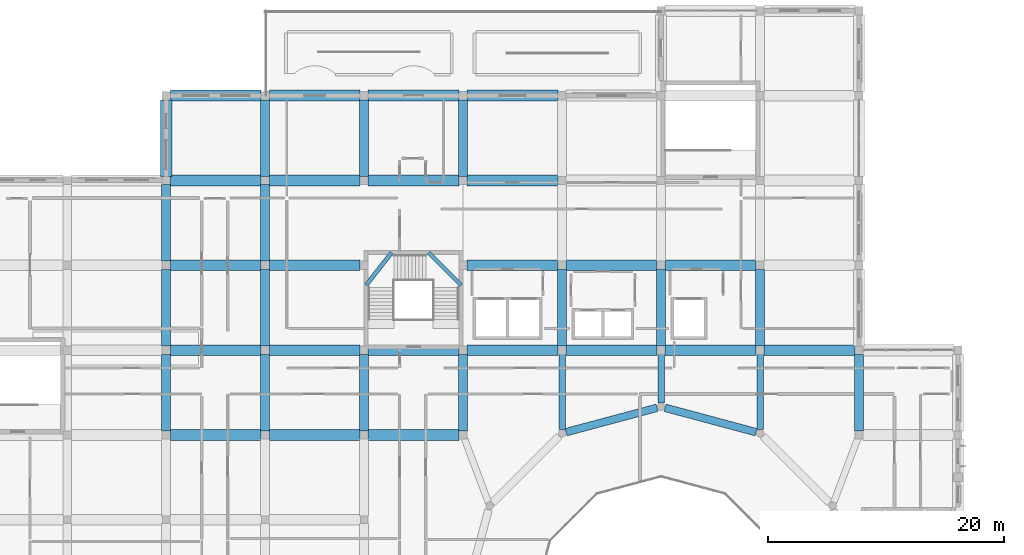
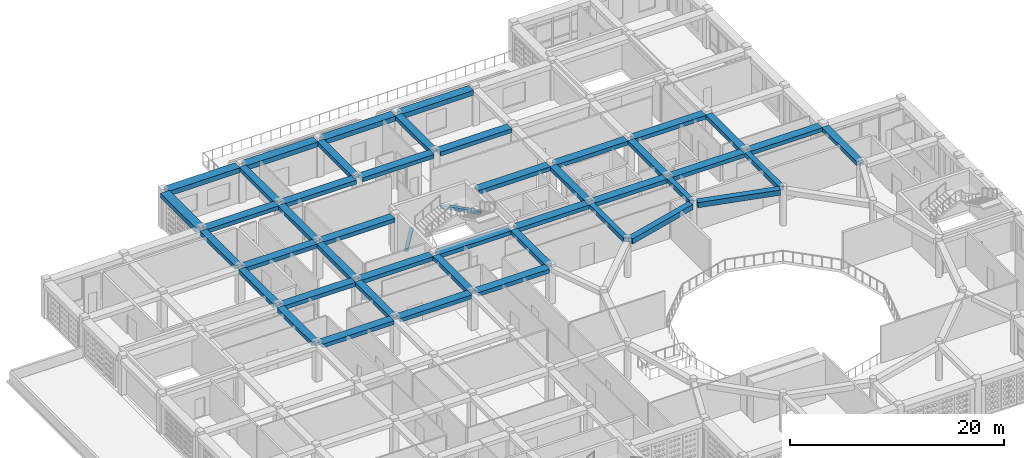
# One storey, part 24 of 79: 46 beams.
"""IFC4 building model written with IfcOpenShell, lengths in metres."""

import ifcopenshell
import ifcopenshell.guid

model = None  # the IFC model being written
_history = None  # IfcOwnerHistory: only IFC2X3 demands one
_inside = {}  # id of a spatial element -> (the spatial element, [elements in it])
_under = {}  # id of a project, library or spatial element -> (it, [spatial elements below it])
_declared = {}  # id of a project -> (the project, [libraries it declares])
_typed = {}  # id of a type object -> (the type object, [elements of that type])
_made_of = {}  # id of a material, layer set ... -> (it, [elements and type objects made of it])


def new_model(schema):
    """Start an empty IFC model of exactly this schema.

    Asked for "IFC4X3", IfcOpenShell would pick the latest addendum, in which some entities
    have other attributes; the version numbers below select the first issue.
    IFC2X3 requires an IfcOwnerHistory on every rooted entity: one is made here for all.
    """
    global model, _history
    if schema == "IFC4X3":
        model = ifcopenshell.file(schema_version=(4, 3, 0, 0))
    else:
        model = ifcopenshell.file(schema=schema)
    _inside.clear()
    _under.clear()
    _declared.clear()
    _typed.clear()
    _made_of.clear()
    _history = None
    if model.schema == "IFC2X3":
        org = make("IfcOrganization", Name="unknown")
        user = make(
            "IfcPersonAndOrganization",
            ThePerson=make("IfcPerson", FamilyName="unknown"),
            TheOrganization=org,
        )
        app = make(
            "IfcApplication",
            ApplicationDeveloper=org,
            Version="unknown",
            ApplicationFullName="unknown",
            ApplicationIdentifier="unknown",
        )
        _history = make(
            "IfcOwnerHistory",
            OwningUser=user,
            OwningApplication=app,
            ChangeAction="ADDED",
            CreationDate=0,
        )
    return model


def make(cls, **values):
    """One entity of the class cls with the attributes given. An attribute that is None is left unset."""
    return model.create_entity(
        cls, **{name: value for name, value in values.items() if value is not None}
    )


def rooted(cls, **values):
    """An entity with a GlobalId (a new one), such as an element, a storey or a relation."""
    return make(cls, GlobalId=ifcopenshell.guid.new(), OwnerHistory=_history, **values)


def si_unit(unit_type, name, prefix=None):
    """IfcSIUnit, for example si_unit("LENGTHUNIT", "METRE", prefix="MILLI")."""
    return make("IfcSIUnit", UnitType=unit_type, Prefix=prefix, Name=name)


def derived_unit(unit_type, elements):
    """IfcDerivedUnit: a product of units, each with its exponent."""
    return make(
        "IfcDerivedUnit",
        Elements=[
            make("IfcDerivedUnitElement", Unit=unit, Exponent=power)
            for unit, power in elements
        ],
        UnitType=unit_type,
    )


def assignment(units):
    """IfcUnitAssignment: the units of a project."""
    return None if units is None else make("IfcUnitAssignment", Units=units)


def point(xyz):
    """IfcCartesianPoint."""
    return None if xyz is None else make("IfcCartesianPoint", Coordinates=xyz)


def direction(xyz):
    """IfcDirection."""
    return None if xyz is None else make("IfcDirection", DirectionRatios=xyz)


def frame(location, z_axis=None, x_axis=None):
    """IfcAxis2Placement3D, a coordinate frame: its origin and axes. An axis left out is left unset."""
    return make(
        "IfcAxis2Placement3D",
        Location=point(location),
        Axis=direction(z_axis),
        RefDirection=direction(x_axis),
    )


def frame_2d(location, x_axis=None):
    """IfcAxis2Placement2D, a coordinate frame in the plane: its origin and x axis."""
    return make(
        "IfcAxis2Placement2D", Location=point(location), RefDirection=direction(x_axis)
    )


def origin():
    """The frame at (0, 0, 0) with its axes left unset."""
    return frame((0.0, 0.0, 0.0))


def origin_2d():
    """The frame at (0, 0) in the plane with its x axis left unset."""
    return frame_2d((0.0, 0.0))


def place(relative_to, where):
    """IfcLocalPlacement: puts the frame where relative to a parent placement (None: the world)."""
    return make(
        "IfcLocalPlacement", PlacementRelTo=relative_to, RelativePlacement=where
    )


def context(
    kind, dimensions, precision=None, world=None, true_north=None, identifier=None
):
    """IfcGeometricRepresentationContext, for example the 3D "Model" context."""
    return make(
        "IfcGeometricRepresentationContext",
        ContextIdentifier=identifier,
        ContextType=kind,
        CoordinateSpaceDimension=dimensions,
        Precision=precision,
        WorldCoordinateSystem=world,
        TrueNorth=true_north,
    )


def subcontext(parent, identifier, kind, view, scale=None):
    """IfcGeometricRepresentationSubContext, for example "Body" below "Model"."""
    return make(
        "IfcGeometricRepresentationSubContext",
        ContextIdentifier=identifier,
        ContextType=kind,
        ParentContext=parent,
        TargetScale=scale,
        TargetView=view,
    )


def project(units=None, contexts=None):
    """IfcProject with its units and contexts."""
    return rooted(
        "IfcProject",
        Name="project",
        RepresentationContexts=contexts,
        UnitsInContext=assignment(units),
    )


def spatial(cls, under=None, at=None, **own):
    """A site, building, storey or space (cls), placed at a placement, below another one or the project."""
    s = rooted(cls, ObjectPlacement=at, **own)
    if under is not None:
        _under.setdefault(under.id(), (under, []))[1].append(s)
    return s


def profile(cls, at=None, kind="AREA", **sizes):
    """A parametric profile (cls). Its sizes go by their IFC names, for example OverallWidth=200.0."""
    return make(cls, ProfileType=kind, Position=at, **sizes)


def rectangle(**sizes):
    """IfcRectangleProfileDef."""
    return profile("IfcRectangleProfileDef", **sizes)


def extrude(swept, where, along, depth):
    """IfcExtrudedAreaSolid: the profile swept, set in the frame where, extruded along a direction by depth."""
    return make(
        "IfcExtrudedAreaSolid",
        SweptArea=swept,
        Position=where,
        ExtrudedDirection=direction(along),
        Depth=depth,
    )


def shape(context_of_items, identifier, shape_type, items):
    """IfcShapeRepresentation: the items that make up one representation, for example the "Body"."""
    return make(
        "IfcShapeRepresentation",
        ContextOfItems=context_of_items,
        RepresentationIdentifier=identifier,
        RepresentationType=shape_type,
        Items=items,
    )


def material(Name=None, Category=None):
    """IfcMaterial."""
    return make("IfcMaterial", Name=Name, Category=Category)


def material_profile(
    of_material, cross_section, Name=None, Category=None, Priority=None
):
    """IfcMaterialProfile: a cross section and its material."""
    return make(
        "IfcMaterialProfile",
        Name=Name,
        Material=of_material,
        Profile=cross_section,
        Priority=Priority,
        Category=Category,
    )


def profile_set(profiles, Name=None, composite=None):
    """IfcMaterialProfileSet."""
    return make(
        "IfcMaterialProfileSet",
        Name=Name,
        MaterialProfiles=profiles,
        CompositeProfile=composite,
    )


def made_of(thing, what):
    """Note that an element or type object is made of a material, layer set ...; save() writes the relation."""
    if what is not None:
        _made_of.setdefault(what.id(), (what, []))[1].append(thing)
    return thing


def type_object(cls, material=None, **own):
    """A type object (cls), such as IfcWallType, which elements share."""
    return made_of(rooted(cls, **own), material)


def element(
    cls,
    number,
    at=None,
    inside=None,
    cuts=None,
    type_object=None,
    material=None,
    context=None,
    identifier="Body",
    shape_type=None,
    held_by="IfcProductDefinitionShape",
    body=None,
    shapes=None,
    **own,
):
    """One element of the class cls, such as IfcWall. Its Tag is "e" and its number.

    at: its placement. inside: the storey or other place that contains it. cuts: it is an
    opening in that element (IfcRelVoidsElement). A single representation is given by context,
    identifier, shape_type and body (its items); several are given by shapes. held_by: the class
    of the entity that holds the representations. save() writes the other relations.
    """
    e = rooted(cls, Tag="e%d" % number, ObjectPlacement=at, **own)
    if body is not None:
        shapes = [shape(context, identifier, shape_type, body)]
    if shapes is not None:
        e.Representation = make(held_by, Representations=shapes)
    if inside is not None:
        _inside.setdefault(inside.id(), (inside, []))[1].append(e)
    if cuts is not None:
        rooted(
            "IfcRelVoidsElement", RelatingBuildingElement=cuts, RelatedOpeningElement=e
        )
    if type_object is not None:
        _typed.setdefault(type_object.id(), (type_object, []))[1].append(e)
    return made_of(e, material)


def aggregate(whole, parts):
    """IfcRelAggregates: a whole, such as a stair, and the parts it consists of."""
    return rooted("IfcRelAggregates", RelatingObject=whole, RelatedObjects=parts)


def save(model, path):
    """Write the relations noted so far, then the file.

    IfcRelAggregates (storeys below a building ...), IfcRelContainedInSpatialStructure (elements
    in a storey), IfcRelDefinesByType, IfcRelAssociatesMaterial and IfcRelDeclares: one each for
    every whole, place, type object, material and project.
    """
    for whole, parts in _under.values():
        aggregate(whole, parts)
    for where, things in _inside.values():
        rooted(
            "IfcRelContainedInSpatialStructure",
            RelatedElements=things,
            RelatingStructure=where,
        )
    for kind, things in _typed.values():
        rooted("IfcRelDefinesByType", RelatedObjects=things, RelatingType=kind)
    for what, things in _made_of.values():
        rooted("IfcRelAssociatesMaterial", RelatedObjects=things, RelatingMaterial=what)
    for by, libraries in _declared.values():
        rooted("IfcRelDeclares", RelatingContext=by, RelatedDefinitions=libraries)
    model.write(path)


model = new_model("IFC4")

# Units and contexts
model_context = context("Model", 3, precision=1e-05, world=origin(), true_north=direction((0.0, 1.0)))
body_context = subcontext(model_context, "Body", "Model", "MODEL_VIEW")
ifc_project = project(units=[si_unit("LENGTHUNIT", "METRE"), si_unit("AREAUNIT", "SQUARE_METRE"), si_unit("VOLUMEUNIT", "CUBIC_METRE"), si_unit("PLANEANGLEUNIT", "RADIAN"), si_unit("MASSUNIT", "GRAM", prefix="KILO"), derived_unit("THERMALTRANSMITTANCEUNIT", [(si_unit("POWERUNIT", "WATT"), 1), (si_unit("LENGTHUNIT", "METRE"), -2), (si_unit("THERMODYNAMICTEMPERATUREUNIT", "KELVIN"), -1)])], contexts=[model_context])

# Site, building, storey
site_placement = place(None, origin())
site = spatial("IfcSite", under=ifc_project, at=site_placement, CompositionType="ELEMENT")
building_placement = place(site_placement, origin())
building = spatial("IfcBuilding", under=site, at=building_placement, Name="Veybourne Emporium", CompositionType="ELEMENT")
storey_placement = place(building_placement, frame((0.0, 0.0, 18.89990234375)))
storey = spatial("IfcBuildingStorey", under=building, at=storey_placement, Name="L04", CompositionType="ELEMENT", Elevation=18.89990234375)

# Beams
ifc_material = material(Name="Concrete C32/40", Category="concrete")
ifc_material_profile_1 = material_profile(ifc_material, rectangle(XDim=0.35009765625, YDim=0.35009765625, at=origin_2d()), Name="RC 350x350")
ifc_profile_set_1 = profile_set([ifc_material_profile_1], Name="Concrete C32/40")
beam_type_1 = type_object("IfcBeamType", Name="LandingBeam_LB-01", PredefinedType="BEAM", material=ifc_profile_set_1)
beam_1_placement = place(storey_placement, frame((50.574951171875, 77.52001953125, 1.125), z_axis=(0.616136975881, 0.787639020714, 0.0), x_axis=(-0.787639020714, 0.616136975881, 0.0)))
element("IfcBeam", 1, at=beam_1_placement, inside=storey, type_object=beam_type_1, Name="L04 ST-03 landing 1 support beam", PredefinedType="BEAM", context=body_context, shape_type="SweptSolid", body=[
    extrude(rectangle(XDim=0.35009765625, YDim=0.35009765625, at=origin_2d()), origin(), (0.0, 0.0, 1.0), 3.49755859375),
])
beam_2_placement = place(storey_placement, frame((55.8701171875, 80.27490234375, 2.625), z_axis=(0.707106781187, -0.707106781187, 0.0), x_axis=(0.707106781187, 0.707106781187, 0.0)))
element("IfcBeam", 2, at=beam_2_placement, inside=storey, type_object=beam_type_1, Name="L04 ST-03 landing 2 support beam", PredefinedType="BEAM", context=body_context, shape_type="SweptSolid", body=[
    extrude(rectangle(XDim=0.35009765625, YDim=0.35009765625, at=origin_2d()), origin(), (0.0, 0.0, 1.0), 3.89599609375),
])
ifc_material_profile_2 = material_profile(ifc_material, rectangle(XDim=0.89990234375, YDim=0.449951171875, at=origin_2d()), Name="RC 900x450")
ifc_profile_set_2 = profile_set([ifc_material_profile_2], Name="Concrete C32/40")
beam_type_2 = type_object("IfcBeamType", Name="RCBeam_BB-03", PredefinedType="BEAM", material=ifc_profile_set_2)
for number, where, z_axis, x_axis, name in (
    (3, (33.949951171875, 64.800048828125, 3.955078125), (1.0, 0.0, 0.0), (0.0, 1.0, 0.0), "L04 X-grid beam BB-03 (4,9)"),
    (4, (33.949951171875, 72.0, 3.955078125), (1.0, 0.0, 0.0), (0.0, 1.0, 0.0), "L04 X-grid beam BB-03 (4,10)"),
    (5, (33.949951171875, 79.199951171875, 3.955078125), (1.0, 0.0, 0.0), (0.0, 1.0, 0.0), "L04 X-grid beam BB-03 (4,11)"),
    (6, (33.949951171875, 86.39990234375, 3.955078125), (1.0, 0.0, 0.0), (0.0, 1.0, 0.0), "L04 X-grid beam BB-03 (4,12)"),
    (7, (42.35009765625, 64.800048828125, 3.955078125), (1.0, 0.0, 0.0), (0.0, 1.0, 0.0), "L04 X-grid beam BB-03 (5,9)"),
    (8, (42.35009765625, 72.0, 3.955078125), (1.0, 0.0, 0.0), (0.0, 1.0, 0.0), "L04 X-grid beam BB-03 (5,10)"),
    (9, (42.35009765625, 79.199951171875, 3.955078125), (1.0, 0.0, 0.0), (0.0, 1.0, 0.0), "L04 X-grid beam BB-03 (5,11)"),
    (10, (42.35009765625, 86.39990234375, 3.955078125), (1.0, 0.0, 0.0), (0.0, 1.0, 0.0), "L04 X-grid beam BB-03 (5,12)"),
    (11, (50.75, 64.800048828125, 3.955078125), (1.0, 0.0, 0.0), (0.0, 1.0, 0.0), "L04 X-grid beam BB-03 (6,9)"),
    (12, (50.75, 72.0, 3.955078125), (1.0, 0.0, 0.0), (0.0, 1.0, 0.0), "L04 X-grid beam BB-03 (6,10)"),
    (13, (50.75, 86.39990234375, 3.955078125), (1.0, 0.0, 0.0), (0.0, 1.0, 0.0), "L04 X-grid beam BB-03 (6,12)"),
):
    element("IfcBeam", number, at=place(storey_placement, frame(where, z_axis=z_axis, x_axis=x_axis)), inside=storey, type_object=beam_type_2, Name=name, PredefinedType="BEAM", context=body_context, shape_type="SweptSolid", body=[
        extrude(rectangle(XDim=0.89990234375, YDim=0.449951171875, at=origin_2d()), origin(), (0.0, 0.0, 1.0), 7.699951171875),
    ])
for number, where, z_axis, x_axis, name in (
    (14, (59.14990234375, 72.0, 3.955078125), (1.0, 0.0, 0.0), (0.0, 1.0, 0.0), "L04 X-grid beam BB-03 (7,10)"),
    (15, (59.14990234375, 79.199951171875, 3.955078125), (1.0, 0.0, 0.0), (0.0, 1.0, 0.0), "L04 X-grid beam BB-03 (7,11)"),
    (16, (59.14990234375, 86.39990234375, 3.955078125), (1.0, 0.0, 0.0), (0.0, 1.0, 0.0), "L04 X-grid beam BB-03 (7,12)"),
):
    element("IfcBeam", number, at=place(storey_placement, frame(where, z_axis=z_axis, x_axis=x_axis)), inside=storey, type_object=beam_type_2, Name=name, PredefinedType="BEAM", context=body_context, shape_type="SweptSolid", body=[
        extrude(rectangle(XDim=0.89990234375, YDim=0.449951171875, at=origin_2d()), origin(), (0.0, 0.0, 1.0), 7.7001953125),
    ])
for number, where, z_axis, x_axis, name in (
    (17, (67.550048828125, 72.0, 3.955078125), (1.0, 0.0, 0.0), (0.0, 1.0, 0.0), "L04 X-grid beam BB-03 (8,10)"),
    (18, (67.550048828125, 79.199951171875, 3.955078125), (1.0, 0.0, 0.0), (0.0, 1.0, 0.0), "L04 X-grid beam BB-03 (8,11)"),
    (19, (75.949951171875, 72.0, 3.955078125), (1.0, 0.0, 0.0), (0.0, 1.0, 0.0), "L04 X-grid beam BB-03 (9,10)"),
    (20, (75.949951171875, 79.199951171875, 3.955078125), (1.0, 0.0, 0.0), (0.0, 1.0, 0.0), "L04 X-grid beam BB-03 (9,11)"),
    (21, (84.35009765625, 72.0, 3.955078125), (1.0, 0.0, 0.0), (0.0, 1.0, 0.0), "L04 X-grid beam BB-03 (10,10)"),
):
    element("IfcBeam", number, at=place(storey_placement, frame(where, z_axis=z_axis, x_axis=x_axis)), inside=storey, type_object=beam_type_2, Name=name, PredefinedType="BEAM", context=body_context, shape_type="SweptSolid", body=[
        extrude(rectangle(XDim=0.89990234375, YDim=0.449951171875, at=origin_2d()), origin(), (0.0, 0.0, 1.0), 7.699951171875),
    ])
ifc_material_profile_3 = material_profile(ifc_material, rectangle(XDim=0.75, YDim=0.449951171875, at=origin_2d()), Name="RC 750x450")
ifc_profile_set_3 = profile_set([ifc_material_profile_3], Name="Concrete C32/40")
beam_type_3 = type_object("IfcBeamType", Name="RCBeam_BB-04", PredefinedType="BEAM", material=ifc_profile_set_3)
for number, where, z_axis, x_axis, name in (
    (22, (33.60009765625, 65.14990234375, 3.955078125), (0.0, 1.0, 0.0), (-1.0, 0.0, 0.0), "L04 Y-grid beam BB-04 (4,9)"),
    (23, (33.60009765625, 72.35009765625, 3.955078125), (0.0, 1.0, 0.0), (-1.0, 0.0, 0.0), "L04 Y-grid beam BB-04 (4,10)"),
    (24, (33.60009765625, 79.550048828125, 3.955078125), (0.0, 1.0, 0.0), (-1.0, 0.0, 0.0), "L04 Y-grid beam BB-04 (4,11)"),
    (25, (42.0, 65.14990234375, 3.955078125), (0.0, 1.0, 0.0), (-1.0, 0.0, 0.0), "L04 Y-grid beam BB-04 (5,9)"),
    (26, (42.0, 72.35009765625, 3.955078125), (0.0, 1.0, 0.0), (-1.0, 0.0, 0.0), "L04 Y-grid beam BB-04 (5,10)"),
    (27, (42.0, 79.550048828125, 3.955078125), (0.0, 1.0, 0.0), (-1.0, 0.0, 0.0), "L04 Y-grid beam BB-04 (5,11)"),
    (28, (42.0, 86.75, 3.955078125), (0.0, 1.0, 0.0), (-1.0, 0.0, 0.0), "L04 Y-grid beam BB-04 (5,12)"),
    (29, (50.39990234375, 65.14990234375, 3.955078125), (0.0, 1.0, 0.0), (-1.0, 0.0, 0.0), "L04 Y-grid beam BB-04 (6,9)"),
    (30, (50.39990234375, 86.75, 3.955078125), (0.0, 1.0, 0.0), (-1.0, 0.0, 0.0), "L04 Y-grid beam BB-04 (6,12)"),
    (31, (58.800048828125, 65.14990234375, 3.955078125), (0.0, 1.0, 0.0), (-1.0, 0.0, 0.0), "L04 Y-grid beam BB-04 (7,9)"),
    (32, (58.800048828125, 86.75, 3.955078125), (0.0, 1.0, 0.0), (-1.0, 0.0, 0.0), "L04 Y-grid beam BB-04 (7,12)"),
    (33, (67.199951171875, 72.35009765625, 3.955078125), (0.0, 1.0, 0.0), (-1.0, 0.0, 0.0), "L04 Y-grid beam BB-04 (8,10)"),
    (34, (75.60009765625, 72.35009765625, 3.955078125), (0.0, 1.0, 0.0), (-1.0, 0.0, 0.0), "L04 Y-grid beam BB-04 (9,10)"),
    (35, (84.0, 72.35009765625, 3.955078125), (0.0, 1.0, 0.0), (-1.0, 0.0, 0.0), "L04 Y-grid beam BB-04 (10,10)"),
    (36, (92.39990234375, 65.14990234375, 3.955078125), (0.0, 1.0, 0.0), (-1.0, 0.0, 0.0), "L04 Y-grid beam BB-04 (11,9)"),
):
    element("IfcBeam", number, at=place(storey_placement, frame(where, z_axis=z_axis, x_axis=x_axis)), inside=storey, type_object=beam_type_3, Name=name, PredefinedType="BEAM", context=body_context, shape_type="SweptSolid", body=[
        extrude(rectangle(XDim=0.75, YDim=0.449951171875, at=origin_2d()), origin(), (0.0, 0.0, 1.0), 6.5),
    ])
ifc_material_profile_4 = material_profile(ifc_material, rectangle(XDim=0.949951171875, YDim=0.550048828125, at=origin_2d()), Name="RC 950x550")
ifc_profile_set_4 = profile_set([ifc_material_profile_4], Name="Concrete C32/40")
beam_type_4 = type_object("IfcBeamType", Name="RCBeam_EB-01", PredefinedType="SPANDREL", material=ifc_profile_set_4)
for number, where, z_axis, x_axis, name in (
    (37, (33.949951171875, 93.60009765625, 3.905029296875), (1.0, 0.0, 0.0), (0.0, 1.0, 0.0), "L04 X-grid beam EB-01 (4,13)"),
    (38, (42.35009765625, 93.60009765625, 3.905029296875), (1.0, 0.0, 0.0), (0.0, 1.0, 0.0), "L04 X-grid beam EB-01 (5,13)"),
    (39, (50.75, 93.60009765625, 3.905029296875), (1.0, 0.0, 0.0), (0.0, 1.0, 0.0), "L04 X-grid beam EB-01 (6,13)"),
):
    element("IfcBeam", number, at=place(storey_placement, frame(where, z_axis=z_axis, x_axis=x_axis)), inside=storey, type_object=beam_type_4, Name=name, PredefinedType="SPANDREL", context=body_context, shape_type="SweptSolid", body=[
        extrude(rectangle(XDim=0.949951171875, YDim=0.550048828125, at=origin_2d()), origin(), (0.0, 0.0, 1.0), 7.699951171875),
    ])
beam_3_placement = place(storey_placement, frame((59.14990234375, 93.60009765625, 3.905029296875), z_axis=(1.0, 0.0, 0.0), x_axis=(0.0, 1.0, 0.0)))
element("IfcBeam", 40, at=beam_3_placement, inside=storey, type_object=beam_type_4, Name="L04 X-grid beam EB-01 (7,13)", PredefinedType="SPANDREL", context=body_context, shape_type="SweptSolid", body=[
    extrude(rectangle(XDim=0.949951171875, YDim=0.550048828125, at=origin_2d()), origin(), (0.0, 0.0, 1.0), 7.7001953125),
])
beam_4_placement = place(storey_placement, frame((33.60009765625, 86.75, 3.905029296875), z_axis=(0.0, 1.0, 0.0), x_axis=(-1.0, 0.0, 0.0)))
element("IfcBeam", 41, at=beam_4_placement, inside=storey, type_object=beam_type_4, Name="L04 Y-grid beam EB-01 (4,12)", PredefinedType="SPANDREL", context=body_context, shape_type="SweptSolid", body=[
    extrude(rectangle(XDim=0.949951171875, YDim=0.550048828125, at=origin_2d()), origin(), (0.0, 0.0, 1.0), 6.5),
])
ifc_material_profile_5 = material_profile(ifc_material, rectangle(XDim=0.64990234375, YDim=0.60009765625, at=origin_2d()), Name="RC 650x600")
ifc_profile_set_5 = profile_set([ifc_material_profile_5], Name="Concrete C32/40")
beam_type_5 = type_object("IfcBeamType", Name="RCBeam_EB-02", PredefinedType="BEAM", material=ifc_profile_set_5)
for number, where, z_axis, x_axis, name in (
    (42, (83.656982421875, 65.041015625, 3.880126953125), (-0.965921169043, 0.258836425556, 0.0), (-0.258836425556, -0.965921169043, 0.0), "Atrium ring beam EB-02 L04-03"),
    (43, (75.257080078125, 67.108154296875, 3.880126953125), (-0.965921169043, -0.258836425556, 0.0), (0.258836425556, -0.965921169043, 0.0), "Atrium ring beam EB-02 L04-04"),
):
    element("IfcBeam", number, at=place(storey_placement, frame(where, z_axis=z_axis, x_axis=x_axis)), inside=storey, type_object=beam_type_5, Name=name, PredefinedType="BEAM", context=body_context, shape_type="SweptSolid", body=[
        extrude(rectangle(XDim=0.64990234375, YDim=0.60009765625, at=origin_2d()), origin(), (0.0, 0.0, 1.0), 7.986328125),
    ])
ifc_material_profile_6 = material_profile(ifc_material, rectangle(XDim=0.550048828125, YDim=0.5, at=origin_2d()), Name="RC 550x500")
ifc_profile_set_6 = profile_set([ifc_material_profile_6], Name="Concrete C32/40")
beam_type_6 = type_object("IfcBeamType", Name="RCBeam_TB-01", PredefinedType="BEAM", material=ifc_profile_set_6)
beam_5_placement = place(storey_placement, frame((84.0, 65.26416015625, 3.93017578125), z_axis=(0.0, 1.0, 0.0), x_axis=(-1.0, 0.0, 0.0)))
element("IfcBeam", 44, at=beam_5_placement, inside=storey, type_object=beam_type_6, Name="Atrium radial tie beam L04-03", PredefinedType="BEAM", context=body_context, shape_type="SweptSolid", body=[
    extrude(rectangle(XDim=0.550048828125, YDim=0.5, at=origin_2d()), origin(), (0.0, 0.0, 1.0), 6.44580078125),
])
beam_6_placement = place(storey_placement, frame((75.60009765625, 67.514892578125, 3.93017578125), z_axis=(0.0, 1.0, 0.0), x_axis=(-1.0, 0.0, 0.0)))
element("IfcBeam", 45, at=beam_6_placement, inside=storey, type_object=beam_type_6, Name="Atrium radial tie beam L04-04", PredefinedType="BEAM", context=body_context, shape_type="SweptSolid", body=[
    extrude(rectangle(XDim=0.550048828125, YDim=0.5, at=origin_2d()), origin(), (0.0, 0.0, 1.0), 4.195068359375),
])
beam_7_placement = place(storey_placement, frame((67.199951171875, 65.26416015625, 3.93017578125), z_axis=(0.0, 1.0, 0.0), x_axis=(-1.0, 0.0, 0.0)))
element("IfcBeam", 46, at=beam_7_placement, inside=storey, type_object=beam_type_6, Name="Atrium radial tie beam L04-05", PredefinedType="BEAM", context=body_context, shape_type="SweptSolid", body=[
    extrude(rectangle(XDim=0.550048828125, YDim=0.5, at=origin_2d()), origin(), (0.0, 0.0, 1.0), 6.44580078125),
])

save(model, "model.ifc")
